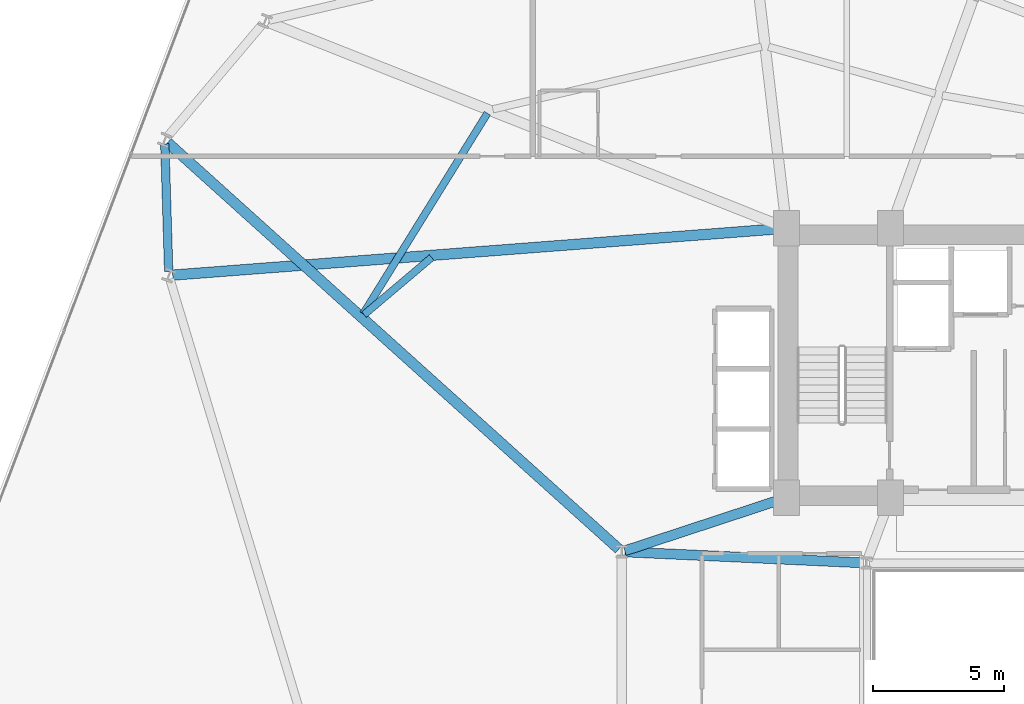
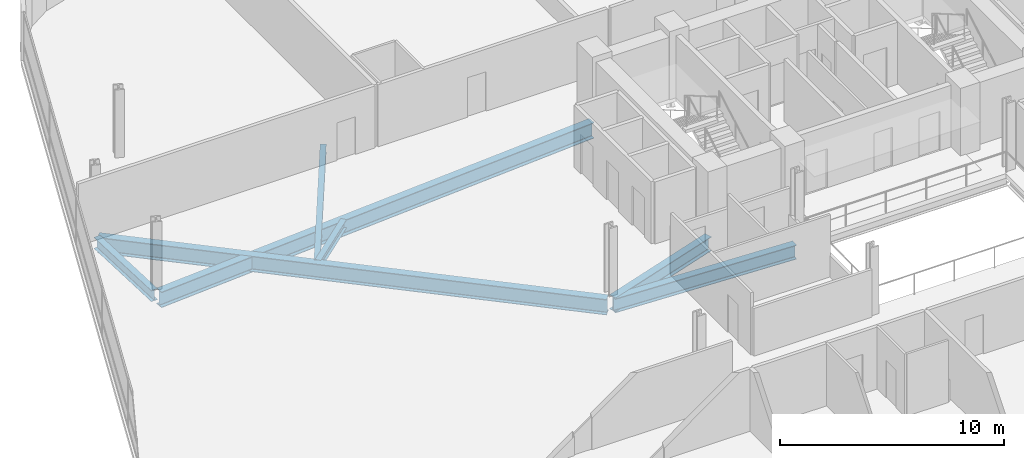
# One storey, part 7 of 25: 7 beams.
"""IFC4 building model written with IfcOpenShell, lengths in metres."""

from ifc_helpers import new_model, si_unit, direction, frame, origin, origin_2d, place, context, subcontext, project, spatial, i_section, extrude, material, material_profile, profile_set, type_object, element, save


model = new_model("IFC4")

# Units and contexts
model_context = context("Model", 3, precision=1e-05, world=origin(), true_north=direction((0.0, 1.0)))
body_context = subcontext(model_context, "Body", "Model", "MODEL_VIEW")
ifc_project = project(units=[si_unit("LENGTHUNIT", "METRE"), si_unit("AREAUNIT", "SQUARE_METRE"), si_unit("VOLUMEUNIT", "CUBIC_METRE"), si_unit("PLANEANGLEUNIT", "RADIAN"), si_unit("MASSUNIT", "GRAM", prefix="KILO")], contexts=[model_context])

# Site, building, storey
site_placement = place(None, origin())
site = spatial("IfcSite", under=ifc_project, at=site_placement, CompositionType="ELEMENT")
building_placement = place(site_placement, origin())
building = spatial("IfcBuilding", under=site, at=building_placement, Name="Varnelok Gate Tower", CompositionType="ELEMENT")
storey_placement = place(building_placement, frame((0.0, 0.0, 113.199951171875)))
storey = spatial("IfcBuildingStorey", under=building, at=storey_placement, Name="L28", CompositionType="ELEMENT", Elevation=113.199951171875)

# Beams
ifc_material = material(Name="Structural Steel ASTM A992 Grade 50", Category="steel")
ifc_material_profile_1 = material_profile(ifc_material, i_section(OverallWidth=0.280029296875, OverallDepth=0.462890625, WebThickness=0.0107421875, FlangeThickness=0.017333984375, FilletRadius=0.014892578125, at=origin_2d()), Name="W18X76")
ifc_profile_set_1 = profile_set([ifc_material_profile_1], Name="Structural Steel ASTM A992 Grade 50")
beam_type_1 = type_object("IfcBeamType", Name="BM-JST-W18X76", PredefinedType="JOIST", material=ifc_profile_set_1)
beam_1_placement = place(storey_placement, frame((19.262451171875, 43.44677734375, -0.4814453125), z_axis=(-0.526453342858, -0.850204021276, 0.0), x_axis=(0.850204021276, -0.526453342858, 0.0)))
element("IfcBeam", 1, at=beam_1_placement, inside=storey, type_object=beam_type_1, Name="L28 Sector Floor Joist 12", PredefinedType="JOIST", context=body_context, shape_type="SweptSolid", body=[
    extrude(i_section(OverallWidth=0.280029296875, OverallDepth=0.462890625, WebThickness=0.0107421875, FlangeThickness=0.017333984375, FilletRadius=0.014892578125, at=origin_2d()), origin(), (0.0, 0.0, 1.0), 9.023681640625),
])
beam_2_placement = place(storey_placement, frame((14.54541015625, 35.746337890625, -0.4814453125), z_axis=(0.763678970092, 0.64559618233, 0.0), x_axis=(-0.64559618233, 0.763678970092, 0.0)))
element("IfcBeam", 2, at=beam_2_placement, inside=storey, type_object=beam_type_1, Name="L28 Sector Floor Joist 13", PredefinedType="JOIST", context=body_context, shape_type="SweptSolid", body=[
    extrude(i_section(OverallWidth=0.280029296875, OverallDepth=0.462890625, WebThickness=0.0107421875, FlangeThickness=0.017333984375, FilletRadius=0.014892578125, at=origin_2d()), origin(), (0.0, 0.0, 1.0), 3.384521484375),
])
ifc_material_profile_2 = material_profile(ifc_material, i_section(OverallWidth=0.381103515625, OverallDepth=0.77294921875, WebThickness=0.0166015625, FlangeThickness=0.027099609375, FilletRadius=0.02197265625, at=origin_2d()), Name="W30X173")
ifc_profile_set_2 = profile_set([ifc_material_profile_2], Name="Structural Steel ASTM A992 Grade 50")
beam_type_2 = type_object("IfcBeamType", Name="BM-PRI-W30X173", PredefinedType="BEAM", material=ifc_profile_set_2)
beam_3_placement = place(storey_placement, frame((24.52001953125, 26.674560546875, -0.636474609375), z_axis=(0.99894427814, -0.045938319209, 0.0), x_axis=(0.045938319209, 0.99894427814, 0.0)))
element("IfcBeam", 3, at=beam_3_placement, inside=storey, type_object=beam_type_2, Name="L28 Core-Atrium Spine Beam 15", PredefinedType="BEAM", context=body_context, shape_type="SweptSolid", body=[
    extrude(i_section(OverallWidth=0.381103515625, OverallDepth=0.77294921875, WebThickness=0.0166015625, FlangeThickness=0.027099609375, FilletRadius=0.02197265625, at=origin_2d()), origin(), (0.0, 0.0, 1.0), 9.11962890625),
])
beam_4_placement = place(storey_placement, frame((24.513916015625, 26.717529296875, -0.636474609375), z_axis=(0.950041943788, 0.312122259768, 0.0), x_axis=(-0.312122259768, 0.950041943788, 0.0)))
element("IfcBeam", 4, at=beam_4_placement, inside=storey, type_object=beam_type_2, Name="L28 Core-Atrium Spine Beam 17", PredefinedType="BEAM", context=body_context, shape_type="SweptSolid", body=[
    extrude(i_section(OverallWidth=0.381103515625, OverallDepth=0.77294921875, WebThickness=0.0166015625, FlangeThickness=0.027099609375, FilletRadius=0.02197265625, at=origin_2d()), origin(), (0.0, 0.0, 1.0), 6.391357421875),
])
ifc_material_profile_3 = material_profile(ifc_material, i_section(OverallWidth=0.39892578125, OverallDepth=0.85498046875, WebThickness=0.018310546875, FlangeThickness=0.029296875, FilletRadius=0.02392578125, at=origin_2d()), Name="W33X201")
ifc_profile_set_3 = profile_set([ifc_material_profile_3], Name="Structural Steel ASTM A992 Grade 50")
beam_type_3 = type_object("IfcBeamType", Name="BM-PRI-W33X201", PredefinedType="BEAM", material=ifc_profile_set_3)
beam_5_placement = place(storey_placement, frame((24.28857421875, 26.780517578125, -0.677490234375), z_axis=(-0.742906696972, 0.669394980258, 0.0), x_axis=(-0.669394980258, -0.742906696972, 0.0)))
element("IfcBeam", 5, at=beam_5_placement, inside=storey, type_object=beam_type_3, Name="L28 Radial Floor Girder 15", PredefinedType="BEAM", context=body_context, shape_type="SweptSolid", body=[
    extrude(i_section(OverallWidth=0.39892578125, OverallDepth=0.85498046875, WebThickness=0.018310546875, FlangeThickness=0.029296875, FilletRadius=0.02392578125, at=origin_2d()), origin(), (0.0, 0.0, 1.0), 23.224609375),
])
beam_6_placement = place(storey_placement, frame((30.55029296875, 39.03857421875, -0.677490234375), z_axis=(-0.997095422745, -0.076162444427, 0.0), x_axis=(0.076162444427, -0.997095422745, 0.0)))
element("IfcBeam", 6, at=beam_6_placement, inside=storey, type_object=beam_type_3, Name="L28 Radial Floor Girder 16", PredefinedType="BEAM", context=body_context, shape_type="SweptSolid", body=[
    extrude(i_section(OverallWidth=0.39892578125, OverallDepth=0.85498046875, WebThickness=0.018310546875, FlangeThickness=0.029296875, FilletRadius=0.02392578125, at=origin_2d()), origin(), (0.0, 0.0, 1.0), 23.387451171875),
])
ifc_material_profile_4 = material_profile(ifc_material, i_section(OverallWidth=0.323974609375, OverallDepth=0.611083984375, WebThickness=0.0126953125, FlangeThickness=0.01904296875, FilletRadius=0.01806640625, at=origin_2d()), Name="W24X104")
ifc_profile_set_4 = profile_set([ifc_material_profile_4], Name="Structural Steel ASTM A992 Grade 50")
beam_type_4 = type_object("IfcBeamType", Name="BM-SPN-W24X104", PredefinedType="SPANDREL", material=ifc_profile_set_4)
beam_7_placement = place(storey_placement, frame((6.927978515625, 42.277587890625, -0.555419921875), z_axis=(0.030393553869, -0.999538009224, 0.0), x_axis=(0.999538009224, 0.030393553869, 0.0)))
element("IfcBeam", 7, at=beam_7_placement, inside=storey, type_object=beam_type_4, Name="L28 Perimeter Spandrel Beam 15", PredefinedType="SPANDREL", context=body_context, shape_type="SweptSolid", body=[
    extrude(i_section(OverallWidth=0.323974609375, OverallDepth=0.611083984375, WebThickness=0.0126953125, FlangeThickness=0.01904296875, FilletRadius=0.01806640625, at=origin_2d()), origin(), (0.0, 0.0, 1.0), 4.8837890625),
])

save(model, "model.ifc")
